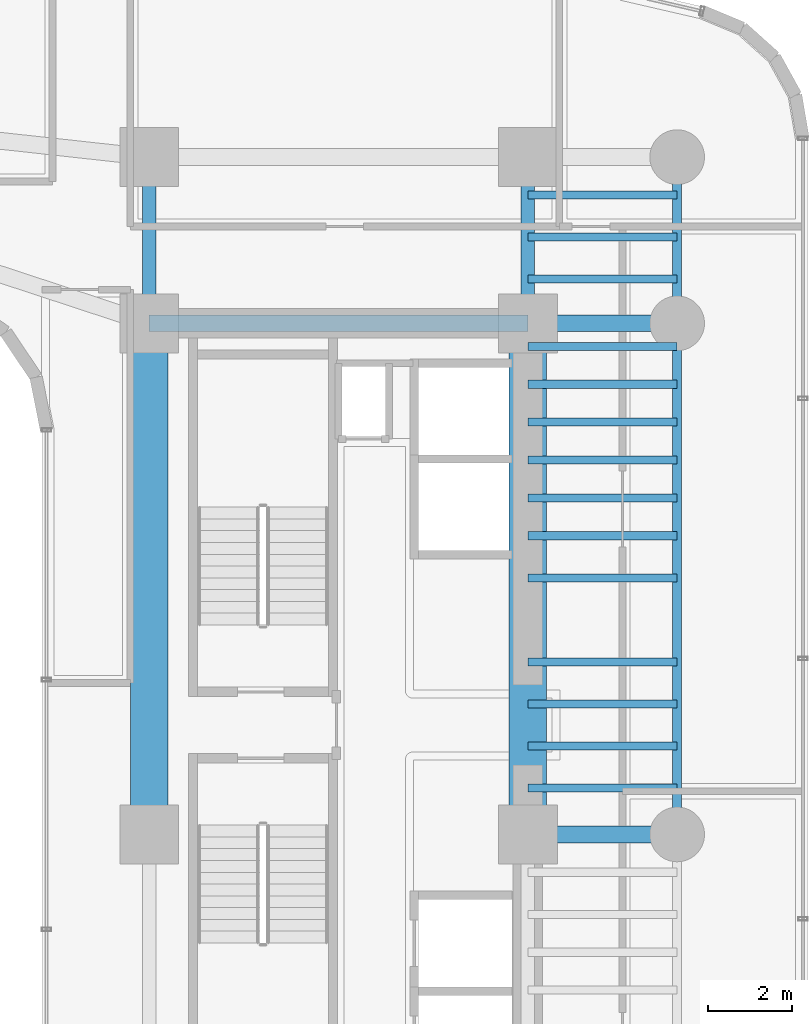
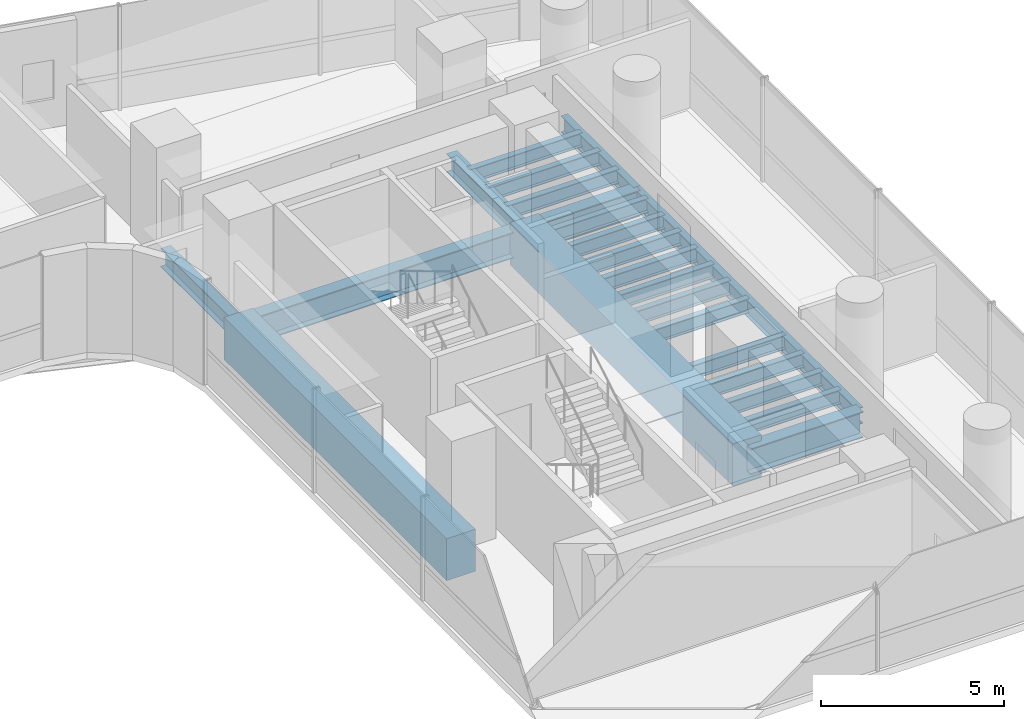
# One storey, part 18 of 40: 23 beams.
"""IFC4 building model written with IfcOpenShell, lengths in metres."""

from ifc_helpers import new_model, si_unit, direction, frame, origin, origin_2d, place, context, subcontext, project, spatial, rectangle, i_section, extrude, source, transform, mapped, material, material_profile, profile_set, type_object, element, save


model = new_model("IFC4")

# Units and contexts
model_context = context("Model", 3, precision=1e-05, world=origin(), true_north=direction((0.0, 1.0)))
body_context = subcontext(model_context, "Body", "Model", "MODEL_VIEW")
ifc_project = project(units=[si_unit("LENGTHUNIT", "METRE"), si_unit("AREAUNIT", "SQUARE_METRE"), si_unit("VOLUMEUNIT", "CUBIC_METRE"), si_unit("PLANEANGLEUNIT", "RADIAN"), si_unit("MASSUNIT", "GRAM", prefix="KILO")], contexts=[model_context])

# Site, building, storey
site_placement = place(None, origin())
site = spatial("IfcSite", under=ifc_project, at=site_placement, CompositionType="ELEMENT")
building_placement = place(site_placement, origin())
building = spatial("IfcBuilding", under=site, at=building_placement, Name="Valdorenza Pilgrim Sanctuary Tower", CompositionType="ELEMENT")
storey_placement = place(building_placement, frame((0.0, 0.0, 51.89990234375)))
storey = spatial("IfcBuildingStorey", under=building, at=storey_placement, Name="L12", CompositionType="ELEMENT", Elevation=51.89990234375)

# Beams
ifc_material_1 = material(Name="Concrete C60/75", Category="concrete")
ifc_material_profile_1 = material_profile(ifc_material_1, rectangle(XDim=0.89990234375, YDim=1.39990234375, at=origin_2d()), Name="RC 1400x900")
ifc_profile_set_1 = profile_set([ifc_material_profile_1], Name="Concrete C60/75")
beam_type_1 = type_object("IfcBeamType", Name="STR-BM-LNT-1400", PredefinedType="LINTEL", material=ifc_profile_set_1)
shared_shape_1 = source(origin(), body_context, "Body", "SweptSolid", [
    extrude(rectangle(XDim=0.89990234375, YDim=1.39990234375, at=origin_2d()), origin(), (0.0, 0.0, 1.0), 12.150146484375),
])
for number, where, z_axis, x_axis, name in (
    (1, (15.85009765625, -2.60009765625, -0.739990234375), (0.0, 1.0, 0.0), (-1.0, 0.0, 0.0), "L12 Core B West Coupling Lintel Girder"),
    (2, (24.85009765625, -2.60009765625, -0.739990234375), (0.0, 1.0, 0.0), (-1.0, 0.0, 0.0), "L12 Core B East Coupling Lintel Girder"),
):
    element("IfcBeam", number, at=place(storey_placement, frame(where, z_axis=z_axis, x_axis=x_axis)), inside=storey, type_object=beam_type_1, Name=name, PredefinedType="LINTEL", context=body_context, shape_type="MappedRepresentation", body=[
        mapped(shared_shape_1, transform((0.0, 0.0, 0.0), x_axis=(1.0, 0.0, 0.0), y_axis=(0.0, 1.0, 0.0), z_axis=(0.0, 0.0, 1.0), scale=1.0)),
    ])
ifc_material_2 = material(Name="Steel ASTM A992 Grade 50", Category="steel")
ifc_material_profile_2 = material_profile(ifc_material_2, i_section(OverallWidth=0.214111328125, OverallDepth=0.549072265625, WebThickness=0.0146484375, FlangeThickness=0.023681640625, at=origin_2d()), Name="W21X93")
ifc_profile_set_2 = profile_set([ifc_material_profile_2], Name="Steel ASTM A992 Grade 50")
beam_type_2 = type_object("IfcBeamType", Name="STR-BM-SPN-W21A", PredefinedType="SPANDREL", material=ifc_profile_set_2)
shared_shape_2 = source(origin(), body_context, "Body", "SweptSolid", [
    extrude(i_section(OverallWidth=0.214111328125, OverallDepth=0.549072265625, WebThickness=0.0146484375, FlangeThickness=0.023681640625, at=origin_2d()), origin(), (0.0, 0.0, 1.0), 12.150146484375),
])
beam_1_placement = place(storey_placement, frame((28.39990234375, -2.60009765625, -0.514404296875), z_axis=(0.0, 1.0, 0.0), x_axis=(-1.0, 0.0, 0.0)))
element("IfcBeam", 3, at=beam_1_placement, inside=storey, type_object=beam_type_2, Name="L12 Spandrel Beam WB-E-M0N1", PredefinedType="SPANDREL", context=body_context, shape_type="MappedRepresentation", body=[
    mapped(shared_shape_2, transform((0.0, 0.0, 0.0), x_axis=(1.0, 0.0, 0.0), y_axis=(0.0, 1.0, 0.0), z_axis=(0.0, 0.0, 1.0), scale=1.0)),
])
ifc_material_profile_3 = material_profile(ifc_material_2, i_section(OverallWidth=0.323974609375, OverallDepth=0.611083984375, WebThickness=0.0126953125, FlangeThickness=0.01904296875, at=origin_2d()), Name="W24X104")
ifc_profile_set_3 = profile_set([ifc_material_profile_3], Name="Steel ASTM A992 Grade 50")
beam_type_3 = type_object("IfcBeamType", Name="STR-BM-GRD-W24B", PredefinedType="BEAM", material=ifc_profile_set_3)
shared_shape_3 = source(origin(), body_context, "Body", "SweptSolid", [
    extrude(i_section(OverallWidth=0.323974609375, OverallDepth=0.611083984375, WebThickness=0.0126953125, FlangeThickness=0.01904296875, at=origin_2d()), origin(), (0.0, 0.0, 1.0), 3.949951171875),
])
for number, where, z_axis, x_axis, name in (
    (4, (15.85009765625, 9.550048828125, -0.54541015625), (0.0, 1.0, 0.0), (-1.0, 0.0, 0.0), "L12 Core Tie Girder CB-W-N1N2"),
    (5, (24.85009765625, 9.550048828125, -0.54541015625), (0.0, 1.0, 0.0), (-1.0, 0.0, 0.0), "L12 Core Tie Girder CB-E-N1N2"),
):
    element("IfcBeam", number, at=place(storey_placement, frame(where, z_axis=z_axis, x_axis=x_axis)), inside=storey, type_object=beam_type_3, Name=name, PredefinedType="BEAM", context=body_context, shape_type="MappedRepresentation", body=[
        mapped(shared_shape_3, transform((0.0, 0.0, 0.0), x_axis=(1.0, 0.0, 0.0), y_axis=(0.0, 1.0, 0.0), z_axis=(0.0, 0.0, 1.0), scale=1.0)),
    ])
shared_shape_4 = source(origin(), body_context, "Body", "SweptSolid", [
    extrude(i_section(OverallWidth=0.214111328125, OverallDepth=0.549072265625, WebThickness=0.0146484375, FlangeThickness=0.023681640625, at=origin_2d()), origin(), (0.0, 0.0, 1.0), 3.949951171875),
])
beam_2_placement = place(storey_placement, frame((28.39990234375, 9.550048828125, -0.514404296875), z_axis=(0.0, 1.0, 0.0), x_axis=(-1.0, 0.0, 0.0)))
element("IfcBeam", 6, at=beam_2_placement, inside=storey, type_object=beam_type_2, Name="L12 Spandrel Beam WB-E-N1N2", PredefinedType="SPANDREL", context=body_context, shape_type="MappedRepresentation", body=[
    mapped(shared_shape_4, transform((0.0, 0.0, 0.0), x_axis=(1.0, 0.0, 0.0), y_axis=(0.0, 1.0, 0.0), z_axis=(0.0, 0.0, 1.0), scale=1.0)),
])
ifc_material_profile_4 = material_profile(ifc_material_2, i_section(OverallWidth=0.193115234375, OverallDepth=0.466064453125, WebThickness=0.011474609375, FlangeThickness=0.01904296875, at=origin_2d()), Name="W18X65")
ifc_profile_set_4 = profile_set([ifc_material_profile_4], Name="Steel ASTM A992 Grade 50")
beam_type_4 = type_object("IfcBeamType", Name="STR-BM-JST-W18A", PredefinedType="JOIST", material=ifc_profile_set_4)
shared_shape_5 = source(origin(), body_context, "Body", "SweptSolid", [
    extrude(i_section(OverallWidth=0.193115234375, OverallDepth=0.466064453125, WebThickness=0.011474609375, FlangeThickness=0.01904296875, at=origin_2d()), origin(), (0.0, 0.0, 1.0), 3.5498046875),
])
for number, where, z_axis, x_axis, name in (
    (7, (24.85009765625, -1.5, -0.472900390625), (1.0, 0.0, 0.0), (0.0, 1.0, 0.0), "L12 Composite Floor Joist JST-WB-8"),
    (8, (24.85009765625, -0.5, -0.472900390625), (1.0, 0.0, 0.0), (0.0, 1.0, 0.0), "L12 Composite Floor Joist JST-WB-9"),
    (9, (24.85009765625, 0.5, -0.472900390625), (1.0, 0.0, 0.0), (0.0, 1.0, 0.0), "L12 Composite Floor Joist JST-WB-10"),
    (10, (24.85009765625, 1.5, -0.472900390625), (1.0, 0.0, 0.0), (0.0, 1.0, 0.0), "L12 Composite Floor Joist JST-WB-11"),
    (11, (24.85009765625, 3.5, -0.472900390625), (1.0, 0.0, 0.0), (0.0, 1.0, 0.0), "L12 Composite Floor Joist JST-WB-12"),
    (12, (24.85009765625, 4.5, -0.472900390625), (1.0, 0.0, 0.0), (0.0, 1.0, 0.0), "L12 Composite Floor Joist JST-WB-13"),
    (13, (24.85009765625, 5.39990234375, -0.472900390625), (1.0, 0.0, 0.0), (0.0, 1.0, 0.0), "L12 Composite Floor Joist JST-WB-14"),
    (14, (24.85009765625, 6.300048828125, -0.472900390625), (1.0, 0.0, 0.0), (0.0, 1.0, 0.0), "L12 Composite Floor Joist JST-WB-15"),
    (15, (24.85009765625, 7.199951171875, -0.472900390625), (1.0, 0.0, 0.0), (0.0, 1.0, 0.0), "L12 Composite Floor Joist JST-WB-16"),
    (16, (24.85009765625, 8.10009765625, -0.472900390625), (1.0, 0.0, 0.0), (0.0, 1.0, 0.0), "L12 Composite Floor Joist JST-WB-17"),
    (17, (24.85009765625, 9.0, -0.472900390625), (1.0, 0.0, 0.0), (0.0, 1.0, 0.0), "L12 Composite Floor Joist JST-WB-18"),
    (18, (24.85009765625, 10.60009765625, -0.472900390625), (1.0, 0.0, 0.0), (0.0, 1.0, 0.0), "L12 Composite Floor Joist JST-WB-19"),
    (19, (24.85009765625, 11.60009765625, -0.472900390625), (1.0, 0.0, 0.0), (0.0, 1.0, 0.0), "L12 Composite Floor Joist JST-WB-20"),
    (20, (24.85009765625, 12.60009765625, -0.472900390625), (1.0, 0.0, 0.0), (0.0, 1.0, 0.0), "L12 Composite Floor Joist JST-WB-21"),
):
    element("IfcBeam", number, at=place(storey_placement, frame(where, z_axis=z_axis, x_axis=x_axis)), inside=storey, type_object=beam_type_4, Name=name, PredefinedType="JOIST", context=body_context, shape_type="MappedRepresentation", body=[
        mapped(shared_shape_5, transform((0.0, 0.0, 0.0), x_axis=(1.0, 0.0, 0.0), y_axis=(0.0, 1.0, 0.0), z_axis=(0.0, 0.0, 1.0), scale=1.0)),
    ])
ifc_material_profile_5 = material_profile(ifc_material_2, i_section(OverallWidth=0.39990234375, OverallDepth=0.862060546875, WebThickness=0.019775390625, FlangeThickness=0.032470703125, at=origin_2d()), Name="W33X221")
ifc_profile_set_5 = profile_set([ifc_material_profile_5], Name="Steel ASTM A992 Grade 50")
beam_type_5 = type_object("IfcBeamType", Name="STR-BM-GRD-W33", PredefinedType="BEAM", material=ifc_profile_set_5)
shared_shape_6 = source(origin(), body_context, "Body", "SweptSolid", [
    extrude(i_section(OverallWidth=0.39990234375, OverallDepth=0.862060546875, WebThickness=0.019775390625, FlangeThickness=0.032470703125, at=origin_2d()), origin(), (0.0, 0.0, 1.0), 9.0),
])
beam_3_placement = place(storey_placement, frame((15.85009765625, 9.550048828125, -0.6708984375), z_axis=(1.0, 0.0, 0.0), x_axis=(0.0, 1.0, 0.0)))
element("IfcBeam", 21, at=beam_3_placement, inside=storey, type_object=beam_type_5, Name="L12 Floor Girder CB-XC-N1", PredefinedType="BEAM", context=body_context, shape_type="MappedRepresentation", body=[
    mapped(shared_shape_6, transform((0.0, 0.0, 0.0), x_axis=(1.0, 0.0, 0.0), y_axis=(0.0, 1.0, 0.0), z_axis=(0.0, 0.0, 1.0), scale=1.0)),
])
shared_shape_7 = source(origin(), body_context, "Body", "SweptSolid", [
    extrude(i_section(OverallWidth=0.39990234375, OverallDepth=0.862060546875, WebThickness=0.019775390625, FlangeThickness=0.032470703125, at=origin_2d()), origin(), (0.0, 0.0, 1.0), 3.5498046875),
])
for number, where, z_axis, x_axis, name in (
    (22, (24.85009765625, -2.60009765625, -0.6708984375), (1.0, 0.0, 0.0), (0.0, 1.0, 0.0), "L12 Floor Girder WB-XE-M0"),
    (23, (24.85009765625, 9.550048828125, -0.6708984375), (1.0, 0.0, 0.0), (0.0, 1.0, 0.0), "L12 Floor Girder WB-XE-N1"),
):
    element("IfcBeam", number, at=place(storey_placement, frame(where, z_axis=z_axis, x_axis=x_axis)), inside=storey, type_object=beam_type_5, Name=name, PredefinedType="BEAM", context=body_context, shape_type="MappedRepresentation", body=[
        mapped(shared_shape_7, transform((0.0, 0.0, 0.0), x_axis=(1.0, 0.0, 0.0), y_axis=(0.0, 1.0, 0.0), z_axis=(0.0, 0.0, 1.0), scale=1.0)),
    ])

save(model, "model.ifc")
